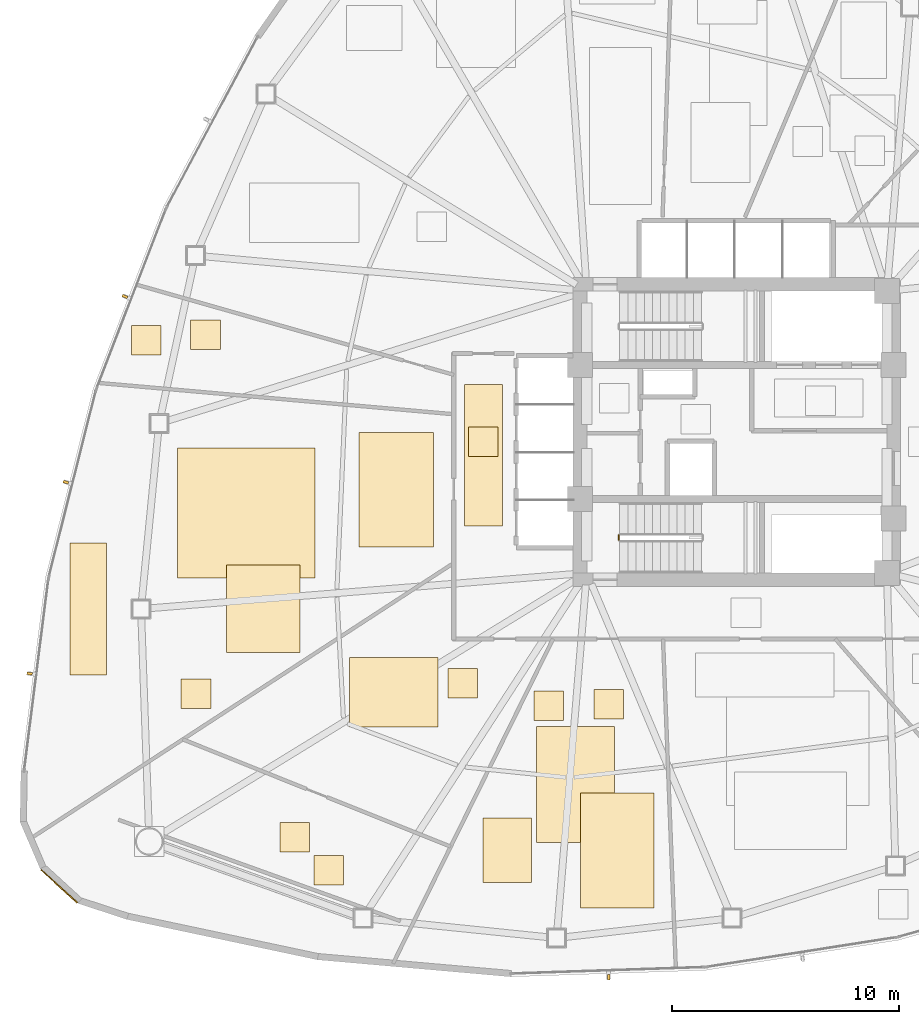
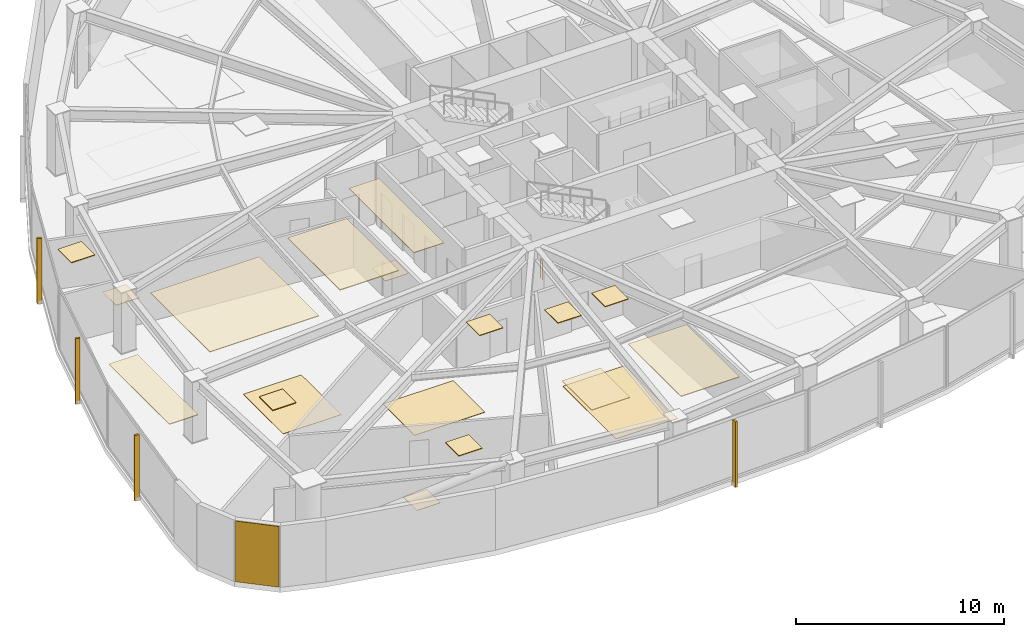
# One storey, part 15 of 18: 19 coverings, 4 shading devices, 1 railing.
"""IFC4 building model written with IfcOpenShell, lengths in metres."""

from ifc_helpers import new_model, si_unit, direction, frame, origin, origin_2d, place, context, subcontext, project, spatial, polyline, rectangle, outline, extrude, source, transform, mapped, material, layer, layer_set, type_object, type_shapes, element, save


model = new_model("IFC4")

# Units and contexts
model_context = context("Model", 3, precision=1e-05, world=origin(), true_north=direction((0.0, 1.0)))
body_context = subcontext(model_context, "Body", "Model", "MODEL_VIEW")
ifc_project = project(units=[si_unit("LENGTHUNIT", "METRE"), si_unit("AREAUNIT", "SQUARE_METRE"), si_unit("VOLUMEUNIT", "CUBIC_METRE"), si_unit("PLANEANGLEUNIT", "RADIAN"), si_unit("MASSUNIT", "GRAM", prefix="KILO")], contexts=[model_context])

# Site, building, storey
site_placement = place(None, origin())
site = spatial("IfcSite", under=ifc_project, at=site_placement, CompositionType="ELEMENT")
building_placement = place(site_placement, origin())
building = spatial("IfcBuilding", under=site, at=building_placement, Name="Tavelor Broadcast Tower", CompositionType="ELEMENT")
storey_placement = place(building_placement, frame((0.0, 0.0, 47.10009765625)))
storey = spatial("IfcBuildingStorey", under=building, at=storey_placement, Name="L10", CompositionType="ELEMENT", Elevation=47.10009765625)

# Coverings
ifc_material_1 = material(Name="Copper-Bronze Anodized Aluminium", Category="aluminium")
ifc_layer_1 = layer(ifc_material_1, 0.050048828125)
ifc_layer_set_1 = layer_set([ifc_layer_1], Name="Copper-Bronze Anodized Aluminium")
covering_type_1 = type_object("IfcCoveringType", Name="Champagne-Bronze Corner Pier Metal Cladding 50 mm", PredefinedType="CLADDING", material=ifc_layer_set_1)
covering_1_placement = place(storey_placement, frame((20.191162109375, 25.0244140625, 0.019775390625), z_axis=(0.0, 0.0, 1.0), x_axis=(0.737866619677, -0.6749465546, 0.0)))
element("IfcCovering", 1, at=covering_1_placement, inside=storey, type_object=covering_type_1, Name="L10 Champagne-Bronze Corner Cladding 13", PredefinedType="CLADDING", context=body_context, shape_type="SweptSolid", body=[
    extrude(rectangle(XDim=2.15087890625, YDim=0.050048828125, at=origin_2d()), origin(), (0.0, 0.0, 1.0), 3.56005859375),
])
ifc_material_2 = material(Name="Architectural Anodized Aluminium", Category="aluminium")
ifc_layer_2 = layer(ifc_material_2, 0.034912109375)
ifc_layer_set_2 = layer_set([ifc_layer_2], Name="Architectural Anodized Aluminium")
covering_type_2 = type_object("IfcCoveringType", Name="Demountable Metal Tile Corridor Ceiling 35 mm", PredefinedType="CEILING", material=ifc_layer_set_2)
covering_2_placement = place(storey_placement, frame((0.0, 0.0, 3.56494140625)))
element("IfcCovering", 2, at=covering_2_placement, inside=storey, type_object=covering_type_2, Name="L10 Suspended Acoustic Ceiling 0348", PredefinedType="CEILING", context=body_context, shape_type="SweptSolid", body=[
    extrude(outline(polyline([(38.01611328125, 40.868896484375), (39.683837890625, 40.868896484375), (39.683837890625, 47.096923828125), (38.01611328125, 47.096923828125), (38.01611328125, 40.868896484375)])), origin(), (0.0, 0.0, 1.0), 0.034912109375),
])
ifc_material_3 = material(Name="Acoustic Nylon Carpet Tile")
ifc_layer_3 = layer(ifc_material_3, 0.02001953125)
ifc_layer_set_3 = layer_set([ifc_layer_3], Name="Acoustic Nylon Carpet Tile")
covering_type_3 = type_object("IfcCoveringType", Name="Heavy-Duty Acoustic Broadcast Carpet Tile 20 mm", PredefinedType="FLOORING", material=ifc_layer_set_3)
covering_3_placement = place(storey_placement, origin())
element("IfcCovering", 3, at=covering_3_placement, inside=storey, type_object=covering_type_3, Name="L10 Broadcast Floor Finish 0121", PredefinedType="FLOORING", context=body_context, shape_type="SweptSolid", body=[
    extrude(outline(polyline([(38.199951171875, 43.925048828125), (39.5, 43.925048828125), (39.5, 45.22509765625), (38.199951171875, 45.22509765625), (38.199951171875, 43.925048828125)])), origin(), (0.0, 0.0, 1.0), 0.02001953125),
])
covering_4_placement = place(storey_placement, origin())
element("IfcCovering", 4, at=covering_4_placement, inside=storey, type_object=covering_type_3, Name="L10 Broadcast Floor Finish 0125", PredefinedType="FLOORING", context=body_context, shape_type="SweptSolid", body=[
    extrude(outline(polyline([(41.1826171875, 26.9462890625), (44.616943359375, 26.9462890625), (44.616943359375, 32.04931640625), (41.1826171875, 32.04931640625), (41.1826171875, 26.9462890625)])), origin(), (0.0, 0.0, 1.0), 0.02001953125),
])
covering_5_placement = place(storey_placement, origin())
element("IfcCovering", 5, at=covering_5_placement, inside=storey, type_object=covering_type_3, Name="L10 Broadcast Floor Finish 0126", PredefinedType="FLOORING", context=body_context, shape_type="SweptSolid", body=[
    extrude(outline(polyline([(29.91064453125, 26.527099609375), (31.210693359375, 26.527099609375), (31.210693359375, 27.826904296875), (29.91064453125, 27.826904296875), (29.91064453125, 26.527099609375)])), origin(), (0.0, 0.0, 1.0), 0.02001953125),
])
covering_6_placement = place(storey_placement, origin())
element("IfcCovering", 6, at=covering_6_placement, inside=storey, type_object=covering_type_3, Name="L10 Broadcast Floor Finish 0127", PredefinedType="FLOORING", context=body_context, shape_type="SweptSolid", body=[
    extrude(outline(polyline([(27.5625, 35.29833984375), (30.78271484375, 35.29833984375), (30.78271484375, 39.14013671875), (27.5625, 39.14013671875), (27.5625, 35.29833984375)])), origin(), (0.0, 0.0, 1.0), 0.02001953125),
])
covering_7_placement = place(storey_placement, origin())
element("IfcCovering", 7, at=covering_7_placement, inside=storey, type_object=covering_type_3, Name="L10 Broadcast Floor Finish 0128", PredefinedType="FLOORING", context=body_context, shape_type="SweptSolid", body=[
    extrude(outline(polyline([(25.981201171875, 48.62060546875), (27.281005859375, 48.62060546875), (27.281005859375, 49.920654296875), (25.981201171875, 49.920654296875), (25.981201171875, 48.62060546875)])), origin(), (0.0, 0.0, 1.0), 0.02001953125),
])
covering_8_placement = place(storey_placement, origin())
element("IfcCovering", 8, at=covering_8_placement, inside=storey, type_object=covering_type_3, Name="L10 Broadcast Floor Finish 0136", PredefinedType="FLOORING", context=body_context, shape_type="SweptSolid", body=[
    extrude(outline(polyline([(32.962158203125, 32.03369140625), (36.857177734375, 32.03369140625), (36.857177734375, 35.0859375), (32.962158203125, 35.0859375), (32.962158203125, 32.03369140625)])), origin(), (0.0, 0.0, 1.0), 0.02001953125),
])

# Railing
ifc_material_4 = material(Name="Steel S355", Category="steel")
railing_type = type_object("IfcRailingType", Name="Stairwell Steel Safety Guardrail 1150 mm", PredefinedType="GUARDRAIL", material=ifc_material_4)
railing_placement = place(storey_placement, frame((44.800048828125, 40.25, 0.0)))
element("IfcRailing", 9, at=railing_placement, inside=storey, type_object=railing_type, Name="L10 ST2 stair guard 4", PredefinedType="GUARDRAIL", context=body_context, shape_type="SweptSolid", body=[
    extrude(rectangle(XDim=0.048095703125, YDim=0.048095703125, at=origin_2d()), frame((0.0, 0.0, 1.1259765625), z_axis=(0.0, 1.0, 0.0), x_axis=(-1.0, 0.0, 0.0)), (0.0, 0.0, 1.0), 0.199951171875),
    extrude(rectangle(XDim=0.0419921875, YDim=0.0419921875, at=origin_2d()), origin(), (0.0, 0.0, 1.0), 1.101806640625),
    extrude(rectangle(XDim=0.0419921875, YDim=0.0419921875, at=origin_2d()), frame((0.0, 0.199951171875, 0.0)), (0.0, 0.0, 1.0), 1.101806640625),
])

# Coverings
ifc_material_5 = material(Name="Acoustic Mineral Fibre Tile")
ifc_layer_4 = layer(ifc_material_5, 0.0400390625)
ifc_layer_set_4 = layer_set([ifc_layer_4], Name="Acoustic Mineral Fibre Tile")
covering_type_4 = type_object("IfcCoveringType", Name="Suspended Acoustic Mineral-Fibre Office Ceiling 40 mm", PredefinedType="CEILING", material=ifc_layer_set_4)
covering_9_placement = place(storey_placement, frame((0.0, 0.0, 3.559814453125)))
element("IfcCovering", 10, at=covering_9_placement, inside=storey, type_object=covering_type_4, Name="L10 Suspended Acoustic Ceiling 0354", PredefinedType="CEILING", context=body_context, shape_type="SweptSolid", body=[
    extrude(outline(polyline([(38.825927734375, 25.19580078125), (40.96044921875, 25.19580078125), (40.96044921875, 28.030517578125), (38.825927734375, 28.030517578125), (38.825927734375, 25.19580078125)])), origin(), (0.0, 0.0, 1.0), 0.0400390625),
])
covering_10_placement = place(storey_placement, frame((0.0, 0.0, 3.559814453125)))
element("IfcCovering", 11, at=covering_10_placement, inside=storey, type_object=covering_type_4, Name="L10 Suspended Acoustic Ceiling 0355", PredefinedType="CEILING", context=body_context, shape_type="SweptSolid", body=[
    extrude(outline(polyline([(41.0703125, 32.31396484375), (42.370361328125, 32.31396484375), (42.370361328125, 33.614013671875), (41.0703125, 33.614013671875), (41.0703125, 32.31396484375)])), origin(), (0.0, 0.0, 1.0), 0.0400390625),
])
covering_11_placement = place(storey_placement, frame((0.0, 0.0, 3.559814453125)))
element("IfcCovering", 12, at=covering_11_placement, inside=storey, type_object=covering_type_4, Name="L10 Suspended Acoustic Ceiling 0356", PredefinedType="CEILING", context=body_context, shape_type="SweptSolid", body=[
    extrude(outline(polyline([(43.71728515625, 32.377197265625), (45.01708984375, 32.377197265625), (45.01708984375, 33.67724609375), (43.71728515625, 33.67724609375), (43.71728515625, 32.377197265625)])), origin(), (0.0, 0.0, 1.0), 0.0400390625),
])
covering_12_placement = place(storey_placement, frame((0.0, 0.0, 3.559814453125)))
element("IfcCovering", 13, at=covering_12_placement, inside=storey, type_object=covering_type_4, Name="L10 Suspended Acoustic Ceiling 0357", PredefinedType="CEILING", context=body_context, shape_type="SweptSolid", body=[
    extrude(outline(polyline([(43.114501953125, 24.054443359375), (46.365478515625, 24.054443359375), (46.365478515625, 29.118896484375), (43.114501953125, 29.118896484375), (43.114501953125, 24.054443359375)])), origin(), (0.0, 0.0, 1.0), 0.0400390625),
])
covering_13_placement = place(storey_placement, frame((0.0, 0.0, 3.559814453125)))
element("IfcCovering", 14, at=covering_13_placement, inside=storey, type_object=covering_type_4, Name="L10 Suspended Acoustic Ceiling 0358", PredefinedType="CEILING", context=body_context, shape_type="SweptSolid", body=[
    extrude(outline(polyline([(31.392333984375, 25.06787109375), (32.6923828125, 25.06787109375), (32.6923828125, 26.367919921875), (31.392333984375, 26.367919921875), (31.392333984375, 25.06787109375)])), origin(), (0.0, 0.0, 1.0), 0.0400390625),
])
covering_14_placement = place(storey_placement, frame((0.0, 0.0, 3.559814453125)))
element("IfcCovering", 15, at=covering_14_placement, inside=storey, type_object=covering_type_4, Name="L10 Suspended Acoustic Ceiling 0359", PredefinedType="CEILING", context=body_context, shape_type="SweptSolid", body=[
    extrude(outline(polyline([(20.677978515625, 34.31103515625), (22.274658203125, 34.31103515625), (22.274658203125, 40.125244140625), (20.677978515625, 40.125244140625), (20.677978515625, 34.31103515625)])), origin(), (0.0, 0.0, 1.0), 0.0400390625),
])
covering_15_placement = place(storey_placement, frame((0.0, 0.0, 3.559814453125)))
element("IfcCovering", 16, at=covering_15_placement, inside=storey, type_object=covering_type_4, Name="L10 Suspended Acoustic Ceiling 0360", PredefinedType="CEILING", context=body_context, shape_type="SweptSolid", body=[
    extrude(outline(polyline([(25.391357421875, 38.587158203125), (31.43701171875, 38.587158203125), (31.43701171875, 44.302734375), (25.391357421875, 44.302734375), (25.391357421875, 38.587158203125)])), origin(), (0.0, 0.0, 1.0), 0.0400390625),
])
covering_16_placement = place(storey_placement, frame((0.0, 0.0, 3.559814453125)))
element("IfcCovering", 17, at=covering_16_placement, inside=storey, type_object=covering_type_4, Name="L10 Suspended Acoustic Ceiling 0361", PredefinedType="CEILING", context=body_context, shape_type="SweptSolid", body=[
    extrude(outline(polyline([(33.392822265625, 39.94970703125), (36.66650390625, 39.94970703125), (36.66650390625, 44.974365234375), (33.392822265625, 44.974365234375), (33.392822265625, 39.94970703125)])), origin(), (0.0, 0.0, 1.0), 0.0400390625),
])
covering_17_placement = place(storey_placement, frame((0.0, 0.0, 3.559814453125)))
element("IfcCovering", 18, at=covering_17_placement, inside=storey, type_object=covering_type_4, Name="L10 Suspended Acoustic Ceiling 0362", PredefinedType="CEILING", context=body_context, shape_type="SweptSolid", body=[
    extrude(outline(polyline([(25.563720703125, 32.841796875), (26.86376953125, 32.841796875), (26.86376953125, 34.141845703125), (25.563720703125, 34.141845703125), (25.563720703125, 32.841796875)])), origin(), (0.0, 0.0, 1.0), 0.0400390625),
])
covering_18_placement = place(storey_placement, frame((0.0, 0.0, 3.559814453125)))
element("IfcCovering", 19, at=covering_18_placement, inside=storey, type_object=covering_type_4, Name="L10 Suspended Acoustic Ceiling 0363", PredefinedType="CEILING", context=body_context, shape_type="SweptSolid", body=[
    extrude(outline(polyline([(23.369384765625, 48.37646484375), (24.66943359375, 48.37646484375), (24.66943359375, 49.676513671875), (23.369384765625, 49.676513671875), (23.369384765625, 48.37646484375)])), origin(), (0.0, 0.0, 1.0), 0.0400390625),
])
covering_19_placement = place(storey_placement, frame((0.0, 0.0, 3.559814453125)))
element("IfcCovering", 20, at=covering_19_placement, inside=storey, type_object=covering_type_4, Name="L10 Suspended Acoustic Ceiling 0387", PredefinedType="CEILING", context=body_context, shape_type="SweptSolid", body=[
    extrude(outline(polyline([(37.298583984375, 33.297119140625), (38.5986328125, 33.297119140625), (38.5986328125, 34.59716796875), (37.298583984375, 34.59716796875), (37.298583984375, 33.297119140625)])), origin(), (0.0, 0.0, 1.0), 0.0400390625),
])

# Shading devices
ifc_material_6 = material(Name="Kiln-Fired Glazed Terracotta", Category="masonry")
shading_device_type = type_object("IfcShadingDeviceType", Name="Extruded Terracotta Baguette Sun-Screen 110x240", PredefinedType="JALOUSIE", material=ifc_material_6)
shared_shape = source(origin(), body_context, "Body", "SweptSolid", [
    extrude(rectangle(XDim=0.110107421875, YDim=0.239990234375, at=origin_2d()), origin(), (0.0, 0.0, 1.0), 3.840087890625),
])
type_shapes(shading_device_type, [shared_shape])
for number, where, z_axis, x_axis, name in (
    (21, (23.083251953125, 50.9619140625, -0.26025390625), (0.0, 0.0, 1.0), (-0.3603224484, -0.932827815397, 0.0), "L10 Terracotta Baguette Fin 74"),
    (22, (20.484619140625, 42.79443359375, -0.26025390625), (0.0, 0.0, 1.0), (-0.244799751878, -0.969573659647, 0.0), "L10 Terracotta Baguette Fin 75"),
    (23, (18.893310546875, 34.372314453125, -0.26025390625), (0.0, 0.0, 1.0), (-0.125679539283, -0.992070891321, 0.0), "L10 Terracotta Baguette Fin 76"),
    (24, (44.3623046875, 21.019287109375, -0.26025390625), (0.0, 0.0, 1.0), (0.999438581711, 0.033504050301, 0.0), "L10 Terracotta Baguette Fin 77"),
):
    element("IfcShadingDevice", number, at=place(storey_placement, frame(where, z_axis=z_axis, x_axis=x_axis)), inside=storey, type_object=shading_device_type, Name=name, PredefinedType="JALOUSIE", context=body_context, shape_type="MappedRepresentation", body=[
        mapped(shared_shape, transform((0.0, 0.0, 0.0), scale=1.0)),
    ])

save(model, "model.ifc")
